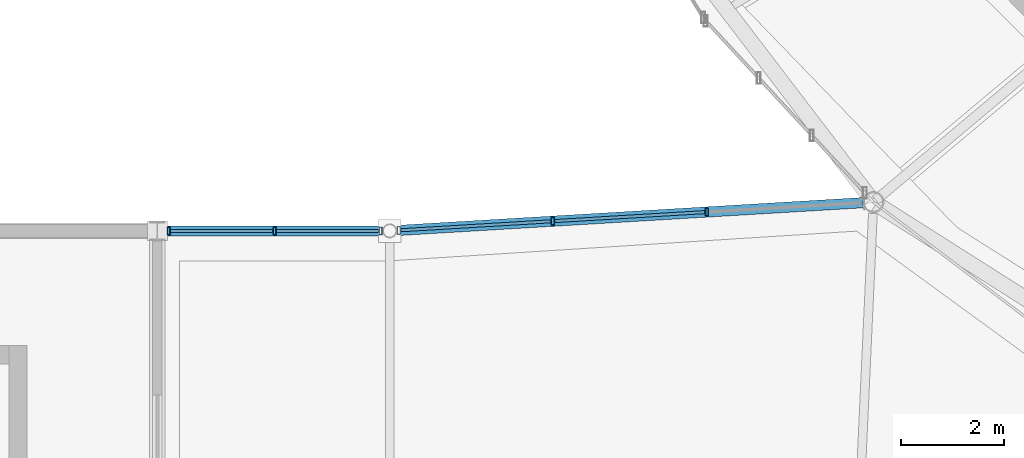
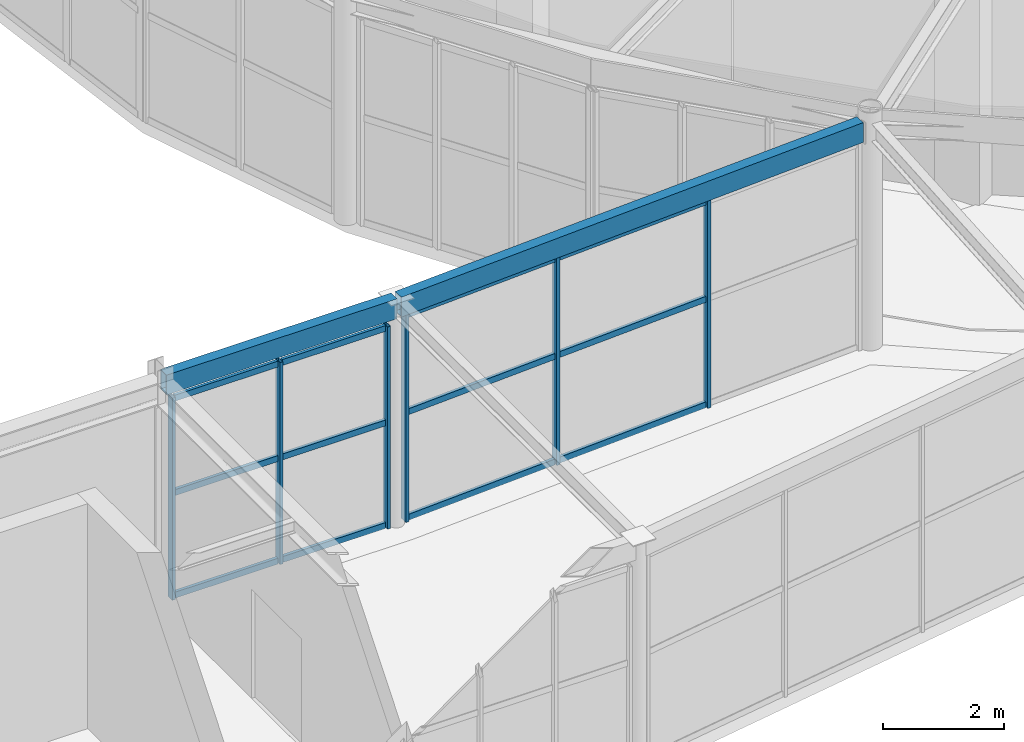
# One storey, part 24 of 100: 18 members, 2 beams, 2 elements without a shape of their own.
"""IFC4 building model written with IfcOpenShell, lengths in metres."""

from ifc_helpers import new_model, si_unit, direction, frame, origin, origin_2d, place, context, subcontext, project, spatial, hollow_rectangle, extrude, material, material_profile, profile_set, type_object, element, aggregate, save


model = new_model("IFC4")

# Units and contexts
model_context = context("Model", 3, precision=1e-05, world=origin(), true_north=direction((0.0, 1.0)))
body_context = subcontext(model_context, "Body", "Model", "MODEL_VIEW")
ifc_project = project(units=[si_unit("LENGTHUNIT", "METRE"), si_unit("AREAUNIT", "SQUARE_METRE"), si_unit("VOLUMEUNIT", "CUBIC_METRE"), si_unit("PLANEANGLEUNIT", "RADIAN"), si_unit("MASSUNIT", "GRAM", prefix="KILO")], contexts=[model_context])

# Site, building, storey
site_placement = place(None, origin())
site = spatial("IfcSite", under=ifc_project, at=site_placement, CompositionType="ELEMENT")
building_placement = place(site_placement, origin())
building = spatial("IfcBuilding", under=site, at=building_placement, Name="Tarnveldt Headland Concert Hall", CompositionType="ELEMENT")
storey_placement = place(building_placement, frame((0.0, 0.0, 4.800048828125)))
storey = spatial("IfcBuildingStorey", under=building, at=storey_placement, Name="L01", CompositionType="ELEMENT", Elevation=4.800048828125)

# Curtain wall, members
ifc_material_1 = material(Name="Marine-anodised aluminium EN AW-6063-T6", Category="aluminium")
curtain_wall_type = type_object("IfcCurtainWallType", Name="CW-L2", PredefinedType="NOTDEFINED", material=ifc_material_1)
curtain_wall_1_placement = place(storey_placement, origin())
curtain_wall_1 = element("IfcCurtainWall", 1, at=curtain_wall_1_placement, inside=storey, type_object=curtain_wall_type, Name="Curtain wall CW-L01-175", PredefinedType="NOTDEFINED")
ifc_material_profile_1 = material_profile(ifc_material_1, hollow_rectangle(XDim=0.06005859375, YDim=0.14990234375, WallThickness=0.00390625, at=origin_2d()), Name="ALU MULLION 60x150x4", Category="aluminium")
ifc_profile_set_1 = profile_set([ifc_material_profile_1], Name="Marine-anodised aluminium EN AW-6063-T6")
member_type_1 = type_object("IfcMemberType", Name="ML-150", PredefinedType="MULLION", material=ifc_profile_set_1)
member_1_placement = place(storey_placement, frame((44.715087890625, 38.0, 0.0), z_axis=(0.0, 0.0, 1.0), x_axis=(1.0, 0.0, 0.0)))
member_1 = element("IfcMember", 2, at=member_1_placement, type_object=member_type_1, Name="Mullion CW-L01-175-1", PredefinedType="MULLION", context=body_context, shape_type="SweptSolid", body=[
    extrude(hollow_rectangle(XDim=0.06005859375, YDim=0.14990234375, WallThickness=0.00390625, at=origin_2d()), origin(), (0.0, 0.0, 1.0), 4.077880859375),
])
member_2_placement = place(storey_placement, frame((46.769287109375, 38.0, 0.0), z_axis=(0.0, 0.0, 1.0), x_axis=(1.0, 0.0, 0.0)))
member_2 = element("IfcMember", 3, at=member_2_placement, type_object=member_type_1, Name="Mullion CW-L01-175-2", PredefinedType="MULLION", context=body_context, shape_type="SweptSolid", body=[
    extrude(hollow_rectangle(XDim=0.06005859375, YDim=0.14990234375, WallThickness=0.00390625, at=origin_2d()), origin(), (0.0, 0.0, 1.0), 4.077880859375),
])
member_3_placement = place(storey_placement, frame((48.823486328125, 38.0, 0.0), z_axis=(0.0, 0.0, 1.0), x_axis=(1.0, 0.0, 0.0)))
member_3 = element("IfcMember", 4, at=member_3_placement, type_object=member_type_1, Name="Mullion CW-L01-175-3", PredefinedType="MULLION", context=body_context, shape_type="SweptSolid", body=[
    extrude(hollow_rectangle(XDim=0.06005859375, YDim=0.14990234375, WallThickness=0.00390625, at=origin_2d()), origin(), (0.0, 0.0, 1.0), 4.077880859375),
])

curtain_wall_2_placement = place(storey_placement, origin())
curtain_wall_2 = element("IfcCurtainWall", 5, at=curtain_wall_2_placement, inside=storey, type_object=curtain_wall_type, Name="Curtain wall CW-L01-176", PredefinedType="NOTDEFINED")
member_4_placement = place(storey_placement, frame((49.17626953125, 38.010498046875, 0.0), z_axis=(0.0, 0.0, 1.0), x_axis=(1.0, 0.0, 0.0)))
member_4 = element("IfcMember", 6, at=member_4_placement, type_object=member_type_1, Name="Mullion CW-L01-176-1", PredefinedType="MULLION", context=body_context, shape_type="SweptSolid", body=[
    extrude(hollow_rectangle(XDim=0.06005859375, YDim=0.14990234375, WallThickness=0.00390625, at=origin_2d()), origin(), (0.0, 0.0, 1.0), 4.19287109375),
])
member_5_placement = place(storey_placement, frame((52.1611328125, 38.1884765625, 0.0), z_axis=(0.0, 0.0, 1.0), x_axis=(1.0, 0.0, 0.0)))
member_5 = element("IfcMember", 7, at=member_5_placement, type_object=member_type_1, Name="Mullion CW-L01-176-2", PredefinedType="MULLION", context=body_context, shape_type="SweptSolid", body=[
    extrude(hollow_rectangle(XDim=0.06005859375, YDim=0.14990234375, WallThickness=0.00390625, at=origin_2d()), origin(), (0.0, 0.0, 1.0), 4.19287109375),
])
member_6_placement = place(storey_placement, frame((55.14599609375, 38.366455078125, 0.0), z_axis=(0.0, 0.0, 1.0), x_axis=(1.0, 0.0, 0.0)))
member_6 = element("IfcMember", 8, at=member_6_placement, type_object=member_type_1, Name="Mullion CW-L01-176-3", PredefinedType="MULLION", context=body_context, shape_type="SweptSolid", body=[
    extrude(hollow_rectangle(XDim=0.06005859375, YDim=0.14990234375, WallThickness=0.00390625, at=origin_2d()), origin(), (0.0, 0.0, 1.0), 4.19287109375),
])

# Beams
ifc_material_2 = material(Name="Steel S355", Category="steel")
ifc_material_profile_2 = material_profile(ifc_material_2, hollow_rectangle(XDim=0.199951171875, YDim=0.39990234375, WallThickness=0.01611328125, at=origin_2d()), Name="RHS 400x200x16", Category="steel")
ifc_profile_set_2 = profile_set([ifc_material_profile_2], Name="Steel S355")
beam_type = type_object("IfcBeamType", Name="SB-RHS400", PredefinedType="BEAM", material=ifc_profile_set_2)
beam_1_placement = place(storey_placement, frame((44.56005859375, 38.0, 4.405029296875), z_axis=(1.0, 0.0, 0.0), x_axis=(0.0, 1.0, 0.0)))
element("IfcBeam", 9, at=beam_1_placement, inside=storey, type_object=beam_type, Name="Framing beam L01-914", PredefinedType="BEAM", context=body_context, shape_type="SweptSolid", body=[
    extrude(hollow_rectangle(XDim=0.199951171875, YDim=0.39990234375, WallThickness=0.01611328125, at=origin_2d()), origin(), (0.0, 0.0, 1.0), 4.39990234375),
])
beam_2_placement = place(storey_placement, frame((49.039794921875, 38.00244140625, 4.405029296875), z_axis=(0.998226853728, 0.059524352132, 0.0), x_axis=(-0.059524352132, 0.998226853728, 0.0)))
element("IfcBeam", 10, at=beam_2_placement, inside=storey, type_object=beam_type, Name="Framing beam L01-915", PredefinedType="BEAM", context=body_context, shape_type="SweptSolid", body=[
    extrude(hollow_rectangle(XDim=0.199951171875, YDim=0.39990234375, WallThickness=0.01611328125, at=origin_2d()), origin(), (0.0, 0.0, 1.0), 9.150390625),
])

# Member
ifc_material_profile_3 = material_profile(ifc_material_1, hollow_rectangle(XDim=0.06005859375, YDim=0.1201171875, WallThickness=0.00390625, at=origin_2d()), Name="ALU TRANSOM 60x120x4", Category="aluminium")
ifc_profile_set_3 = profile_set([ifc_material_profile_3], Name="Marine-anodised aluminium EN AW-6063-T6")
member_type_2 = type_object("IfcMemberType", Name="TR-110", PredefinedType="MEMBER", material=ifc_profile_set_3)
member_7_placement = place(storey_placement, frame((44.757080078125, 38.0, 0.050048828125), z_axis=(1.0, 0.0, 0.0), x_axis=(0.0, 1.0, 0.0)))
member_7 = element("IfcMember", 11, at=member_7_placement, type_object=member_type_2, Name="Transom CW-L01-175-1-1", PredefinedType="MEMBER", context=body_context, shape_type="SweptSolid", body=[
    extrude(hollow_rectangle(XDim=0.06005859375, YDim=0.1201171875, WallThickness=0.00390625, at=origin_2d()), origin(), (0.0, 0.0, 1.0), 1.97021484375),
])

member_8_placement = place(storey_placement, frame((44.757080078125, 38.0, 2.12060546875), z_axis=(1.0, 0.0, 0.0), x_axis=(0.0, 1.0, 0.0)))
member_8 = element("IfcMember", 12, at=member_8_placement, type_object=member_type_2, Name="Transom CW-L01-175-1-2", PredefinedType="MEMBER", context=body_context, shape_type="SweptSolid", body=[
    extrude(hollow_rectangle(XDim=0.06005859375, YDim=0.1201171875, WallThickness=0.00390625, at=origin_2d()), origin(), (0.0, 0.0, 1.0), 1.97021484375),
])

member_9_placement = place(storey_placement, frame((44.757080078125, 38.0, 4.02783203125), z_axis=(1.0, 0.0, 0.0), x_axis=(0.0, 1.0, 0.0)))
member_9 = element("IfcMember", 13, at=member_9_placement, type_object=member_type_2, Name="Transom CW-L01-175-1-3", PredefinedType="MEMBER", context=body_context, shape_type="SweptSolid", body=[
    extrude(hollow_rectangle(XDim=0.06005859375, YDim=0.1201171875, WallThickness=0.00390625, at=origin_2d()), origin(), (0.0, 0.0, 1.0), 1.97021484375),
])

member_10_placement = place(storey_placement, frame((46.811279296875, 38.0, 0.050048828125), z_axis=(1.0, 0.0, 0.0), x_axis=(0.0, 1.0, 0.0)))
member_10 = element("IfcMember", 14, at=member_10_placement, type_object=member_type_2, Name="Transom CW-L01-175-2-1", PredefinedType="MEMBER", context=body_context, shape_type="SweptSolid", body=[
    extrude(hollow_rectangle(XDim=0.06005859375, YDim=0.1201171875, WallThickness=0.00390625, at=origin_2d()), origin(), (0.0, 0.0, 1.0), 1.97021484375),
])

member_11_placement = place(storey_placement, frame((46.811279296875, 38.0, 2.12060546875), z_axis=(1.0, 0.0, 0.0), x_axis=(0.0, 1.0, 0.0)))
member_11 = element("IfcMember", 15, at=member_11_placement, type_object=member_type_2, Name="Transom CW-L01-175-2-2", PredefinedType="MEMBER", context=body_context, shape_type="SweptSolid", body=[
    extrude(hollow_rectangle(XDim=0.06005859375, YDim=0.1201171875, WallThickness=0.00390625, at=origin_2d()), origin(), (0.0, 0.0, 1.0), 1.97021484375),
])

member_12_placement = place(storey_placement, frame((46.811279296875, 38.0, 4.02783203125), z_axis=(1.0, 0.0, 0.0), x_axis=(0.0, 1.0, 0.0)))
member_12 = element("IfcMember", 16, at=member_12_placement, type_object=member_type_2, Name="Transom CW-L01-175-2-3", PredefinedType="MEMBER", context=body_context, shape_type="SweptSolid", body=[
    extrude(hollow_rectangle(XDim=0.06005859375, YDim=0.1201171875, WallThickness=0.00390625, at=origin_2d()), origin(), (0.0, 0.0, 1.0), 1.97021484375),
])

aggregate(curtain_wall_1, [member_1, member_2, member_3, member_7, member_8, member_9, member_10, member_11, member_12])

member_13_placement = place(storey_placement, frame((49.218017578125, 38.012939453125, 0.050048828125), z_axis=(0.998224778178, 0.059559149014, 0.0), x_axis=(-0.059559149014, 0.998224778178, 0.0)))
member_13 = element("IfcMember", 17, at=member_13_placement, type_object=member_type_2, Name="Transom CW-L01-176-1-1", PredefinedType="MEMBER", context=body_context, shape_type="SweptSolid", body=[
    extrude(hollow_rectangle(XDim=0.06005859375, YDim=0.1201171875, WallThickness=0.00390625, at=origin_2d()), origin(), (0.0, 0.0, 1.0), 2.90625),
])

member_14_placement = place(storey_placement, frame((49.218017578125, 38.012939453125, 2.180419921875), z_axis=(0.998224778178, 0.059559149014, 0.0), x_axis=(-0.059559149014, 0.998224778178, 0.0)))
member_14 = element("IfcMember", 18, at=member_14_placement, type_object=member_type_2, Name="Transom CW-L01-176-1-2", PredefinedType="MEMBER", context=body_context, shape_type="SweptSolid", body=[
    extrude(hollow_rectangle(XDim=0.06005859375, YDim=0.1201171875, WallThickness=0.00390625, at=origin_2d()), origin(), (0.0, 0.0, 1.0), 2.90625),
])

member_15_placement = place(storey_placement, frame((49.218017578125, 38.012939453125, 4.14306640625), z_axis=(0.998224778178, 0.059559149014, 0.0), x_axis=(-0.059559149014, 0.998224778178, 0.0)))
member_15 = element("IfcMember", 19, at=member_15_placement, type_object=member_type_2, Name="Transom CW-L01-176-1-3", PredefinedType="MEMBER", context=body_context, shape_type="SweptSolid", body=[
    extrude(hollow_rectangle(XDim=0.06005859375, YDim=0.1201171875, WallThickness=0.00390625, at=origin_2d()), origin(), (0.0, 0.0, 1.0), 2.90625),
])

member_16_placement = place(storey_placement, frame((52.202880859375, 38.19091796875, 0.050048828125), z_axis=(0.998224778178, 0.059559149014, 0.0), x_axis=(-0.059559149014, 0.998224778178, 0.0)))
member_16 = element("IfcMember", 20, at=member_16_placement, type_object=member_type_2, Name="Transom CW-L01-176-2-1", PredefinedType="MEMBER", context=body_context, shape_type="SweptSolid", body=[
    extrude(hollow_rectangle(XDim=0.06005859375, YDim=0.1201171875, WallThickness=0.00390625, at=origin_2d()), origin(), (0.0, 0.0, 1.0), 2.90625),
])

member_17_placement = place(storey_placement, frame((52.202880859375, 38.19091796875, 2.180419921875), z_axis=(0.998224778178, 0.059559149014, 0.0), x_axis=(-0.059559149014, 0.998224778178, 0.0)))
member_17 = element("IfcMember", 21, at=member_17_placement, type_object=member_type_2, Name="Transom CW-L01-176-2-2", PredefinedType="MEMBER", context=body_context, shape_type="SweptSolid", body=[
    extrude(hollow_rectangle(XDim=0.06005859375, YDim=0.1201171875, WallThickness=0.00390625, at=origin_2d()), origin(), (0.0, 0.0, 1.0), 2.90625),
])

member_18_placement = place(storey_placement, frame((52.202880859375, 38.19091796875, 4.14306640625), z_axis=(0.998224778178, 0.059559149014, 0.0), x_axis=(-0.059559149014, 0.998224778178, 0.0)))
member_18 = element("IfcMember", 22, at=member_18_placement, type_object=member_type_2, Name="Transom CW-L01-176-2-3", PredefinedType="MEMBER", context=body_context, shape_type="SweptSolid", body=[
    extrude(hollow_rectangle(XDim=0.06005859375, YDim=0.1201171875, WallThickness=0.00390625, at=origin_2d()), origin(), (0.0, 0.0, 1.0), 2.90625),
])

aggregate(curtain_wall_2, [member_4, member_5, member_6, member_13, member_14, member_15, member_16, member_17, member_18])

save(model, "model.ifc")
